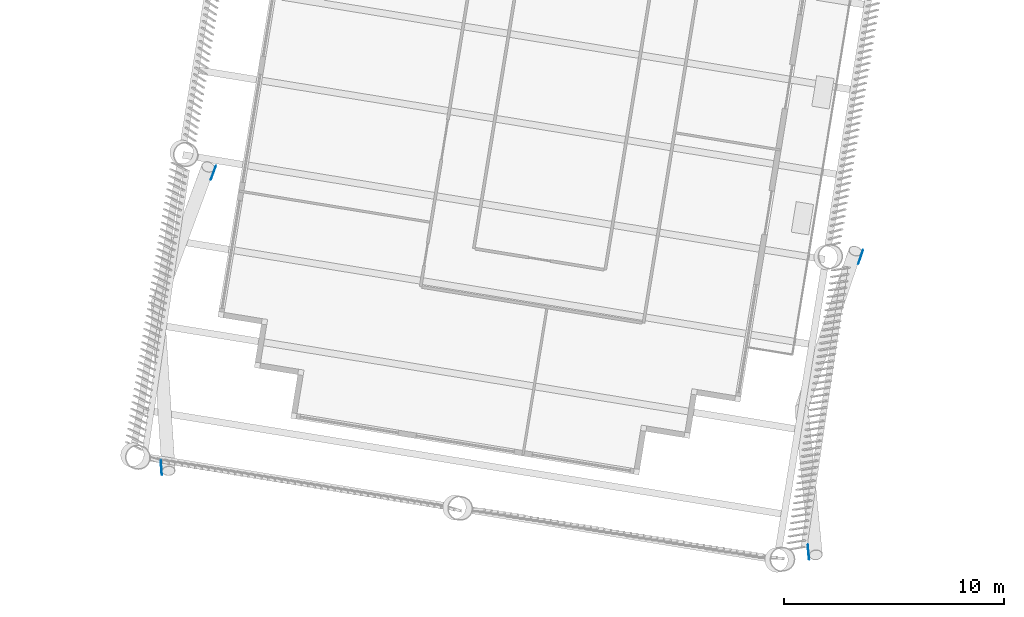
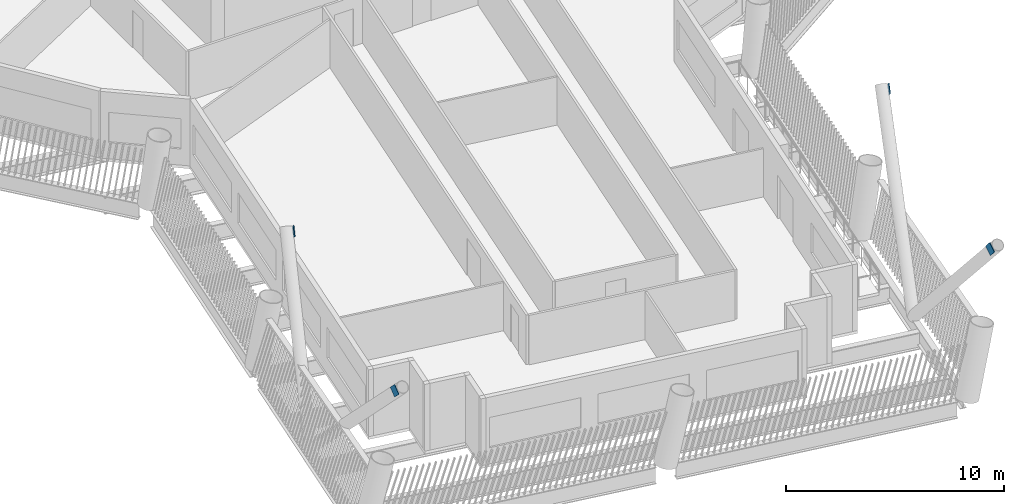
# One storey, part 8 of 22: 4 discrete accessories.
"""IFC4 building model written with IfcOpenShell, lengths in metres."""

from ifc_helpers import new_model, si_unit, direction, frame, origin, origin_2d, place, context, subcontext, project, spatial, rectangle, extrude, material, material_profile, profile_set, type_object, element, save


model = new_model("IFC4")

# Units and contexts
model_context = context("Model", 3, precision=1e-05, world=origin(), true_north=direction((0.0, 1.0)))
body_context = subcontext(model_context, "Body", "Model", "MODEL_VIEW")
ifc_project = project(units=[si_unit("LENGTHUNIT", "METRE"), si_unit("AREAUNIT", "SQUARE_METRE"), si_unit("VOLUMEUNIT", "CUBIC_METRE"), si_unit("PLANEANGLEUNIT", "RADIAN"), si_unit("MASSUNIT", "GRAM", prefix="KILO")], contexts=[model_context])

# Site, building, storey
site_placement = place(None, origin())
site = spatial("IfcSite", under=ifc_project, at=site_placement, CompositionType="ELEMENT")
building_placement = place(site_placement, origin())
building = spatial("IfcBuilding", under=site, at=building_placement, Name="Tarsis Ring Headquarters", CompositionType="ELEMENT")
storey_placement = place(building_placement, frame((0.0, 0.0, 186.60009765625)))
storey = spatial("IfcBuildingStorey", under=building, at=storey_placement, Name="L43", CompositionType="ELEMENT", Elevation=186.60009765625)

# Discrete accessories
ifc_material = material(Name="Structural steel S355", Category="steel")
ifc_material_profile = material_profile(ifc_material, rectangle(XDim=0.02490234375, YDim=0.5, at=origin_2d()), Name="PL 25x500")
ifc_profile_set = profile_set([ifc_material_profile], Name="Structural steel S355")
discrete_accessory_type = type_object("IfcDiscreteAccessoryType", Name="Gusset plate Exo brace 25", PredefinedType="BRACKET", material=ifc_profile_set)
discrete_accessory_placement = place(storey_placement, frame((-21.793701171875, -50.475341796875, 7.7998046875), z_axis=(-0.04688873, 0.696493010201, -0.716029981034), x_axis=(-0.997741603125, -0.067169140182, 0.0)))
element("IfcDiscreteAccessory", 1, at=discrete_accessory_placement, inside=storey, type_object=discrete_accessory_type, Name="Gusset plate GP5", PredefinedType="BRACKET", context=body_context, shape_type="SweptSolid", body=[
    extrude(rectangle(XDim=0.02490234375, YDim=0.5, at=origin_2d()), origin(), (0.0, 0.0, 1.0), 0.499755859375),
])
for number, where, z_axis, x_axis, name in (
    (2, (-19.38916015625, -36.77783203125, 7.7998046875), (-0.224617300975, -0.606466712631, -0.762722226353), (0.937748760724, -0.347314355824, 0.0), "Gusset plate GP5"),
    (3, (9.96728515625, -40.582275390625, 7.7998046875), (-0.224663025591, -0.65884874244, -0.717944886128), (0.94648583494, -0.322745355131, 0.0), "Gusset plate GP5"),
    (4, (7.560546875, -54.297119140625, 7.7998046875), (-0.062991570357, 0.646518132965, -0.760293605005), (-0.995287029086, -0.096972829873, 0.0), "Gusset plate GP5"),
):
    element("IfcDiscreteAccessory", number, at=place(storey_placement, frame(where, z_axis=z_axis, x_axis=x_axis)), inside=storey, type_object=discrete_accessory_type, Name=name, PredefinedType="BRACKET", context=body_context, shape_type="SweptSolid", body=[
        extrude(rectangle(XDim=0.02490234375, YDim=0.5, at=origin_2d()), origin(), (0.0, 0.0, 1.0), 0.5),
    ])

save(model, "model.ifc")
